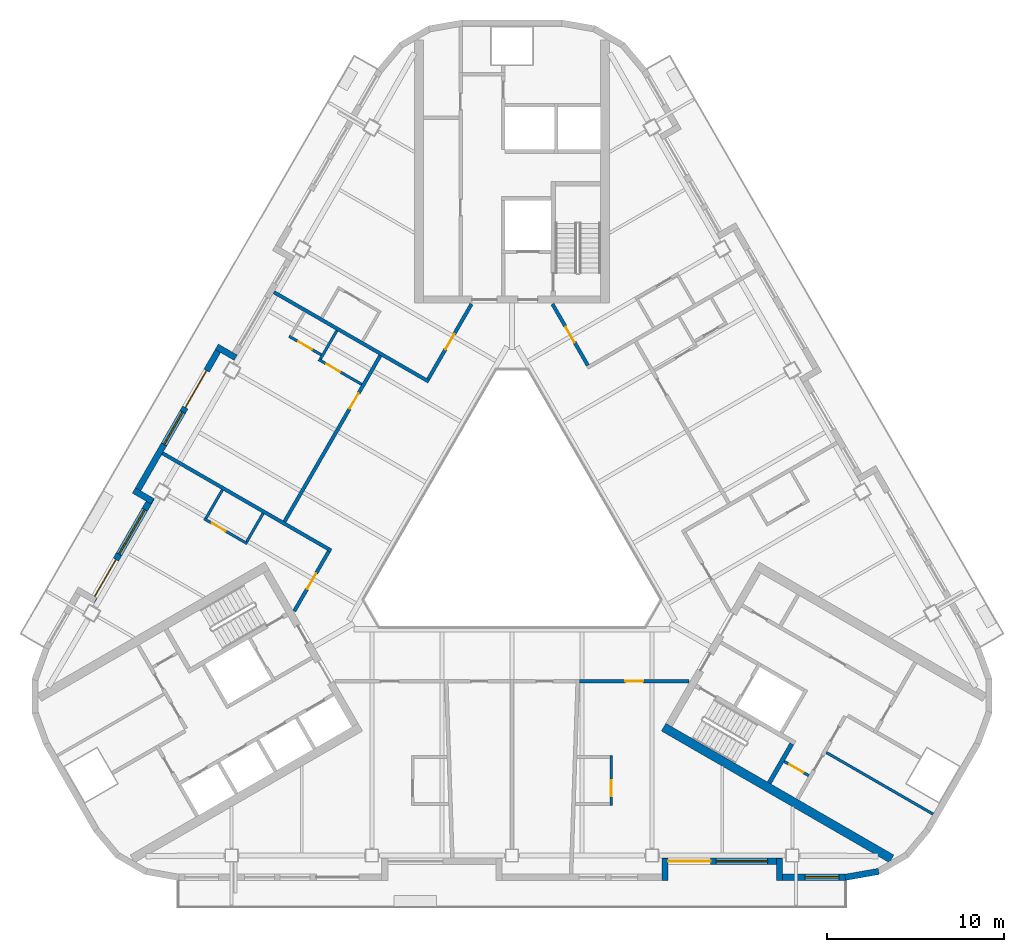
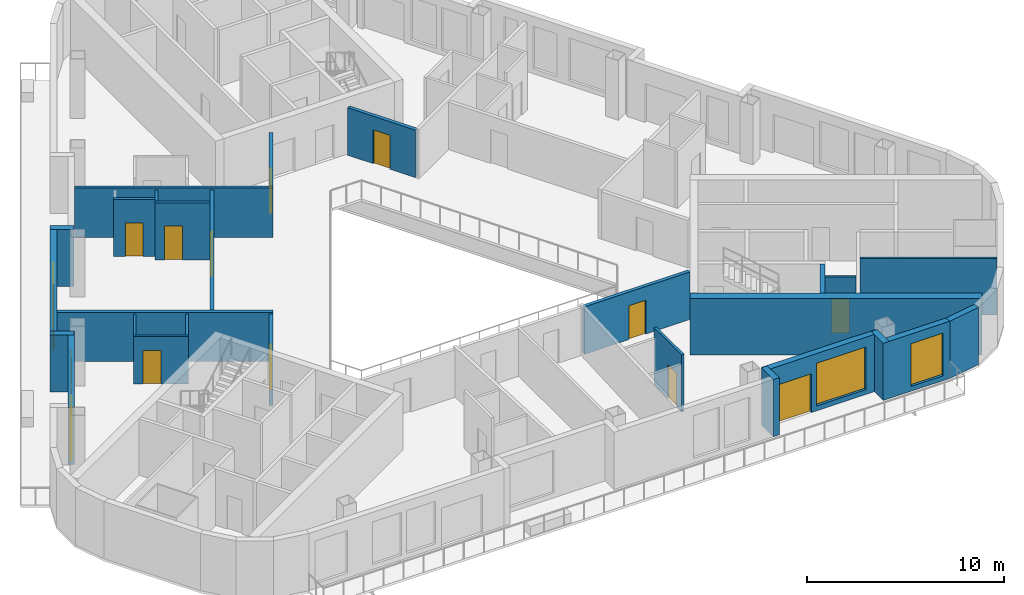
# One storey, part 4 of 13: 27 walls, 13 doors, 4 windows, 17 openings.
"""IFC4 building model written with IfcOpenShell, lengths in metres."""

import ifcopenshell
import ifcopenshell.guid

model = None  # the IFC model being written
_history = None  # IfcOwnerHistory: only IFC2X3 demands one
_inside = {}  # id of a spatial element -> (the spatial element, [elements in it])
_under = {}  # id of a project, library or spatial element -> (it, [spatial elements below it])
_declared = {}  # id of a project -> (the project, [libraries it declares])
_typed = {}  # id of a type object -> (the type object, [elements of that type])
_made_of = {}  # id of a material, layer set ... -> (it, [elements and type objects made of it])


def new_model(schema):
    """Start an empty IFC model of exactly this schema.

    Asked for "IFC4X3", IfcOpenShell would pick the latest addendum, in which some entities
    have other attributes; the version numbers below select the first issue.
    IFC2X3 requires an IfcOwnerHistory on every rooted entity: one is made here for all.
    """
    global model, _history
    if schema == "IFC4X3":
        model = ifcopenshell.file(schema_version=(4, 3, 0, 0))
    else:
        model = ifcopenshell.file(schema=schema)
    _inside.clear()
    _under.clear()
    _declared.clear()
    _typed.clear()
    _made_of.clear()
    _history = None
    if model.schema == "IFC2X3":
        org = make("IfcOrganization", Name="unknown")
        user = make(
            "IfcPersonAndOrganization",
            ThePerson=make("IfcPerson", FamilyName="unknown"),
            TheOrganization=org,
        )
        app = make(
            "IfcApplication",
            ApplicationDeveloper=org,
            Version="unknown",
            ApplicationFullName="unknown",
            ApplicationIdentifier="unknown",
        )
        _history = make(
            "IfcOwnerHistory",
            OwningUser=user,
            OwningApplication=app,
            ChangeAction="ADDED",
            CreationDate=0,
        )
    return model


def make(cls, **values):
    """One entity of the class cls with the attributes given. An attribute that is None is left unset."""
    return model.create_entity(
        cls, **{name: value for name, value in values.items() if value is not None}
    )


def rooted(cls, **values):
    """An entity with a GlobalId (a new one), such as an element, a storey or a relation."""
    return make(cls, GlobalId=ifcopenshell.guid.new(), OwnerHistory=_history, **values)


def si_unit(unit_type, name, prefix=None):
    """IfcSIUnit, for example si_unit("LENGTHUNIT", "METRE", prefix="MILLI")."""
    return make("IfcSIUnit", UnitType=unit_type, Prefix=prefix, Name=name)


def assignment(units):
    """IfcUnitAssignment: the units of a project."""
    return None if units is None else make("IfcUnitAssignment", Units=units)


def point(xyz):
    """IfcCartesianPoint."""
    return None if xyz is None else make("IfcCartesianPoint", Coordinates=xyz)


def direction(xyz):
    """IfcDirection."""
    return None if xyz is None else make("IfcDirection", DirectionRatios=xyz)


def frame(location, z_axis=None, x_axis=None):
    """IfcAxis2Placement3D, a coordinate frame: its origin and axes. An axis left out is left unset."""
    return make(
        "IfcAxis2Placement3D",
        Location=point(location),
        Axis=direction(z_axis),
        RefDirection=direction(x_axis),
    )


def frame_2d(location, x_axis=None):
    """IfcAxis2Placement2D, a coordinate frame in the plane: its origin and x axis."""
    return make(
        "IfcAxis2Placement2D", Location=point(location), RefDirection=direction(x_axis)
    )


def origin():
    """The frame at (0, 0, 0) with its axes left unset."""
    return frame((0.0, 0.0, 0.0))


def place(relative_to, where):
    """IfcLocalPlacement: puts the frame where relative to a parent placement (None: the world)."""
    return make(
        "IfcLocalPlacement", PlacementRelTo=relative_to, RelativePlacement=where
    )


def context(
    kind, dimensions, precision=None, world=None, true_north=None, identifier=None
):
    """IfcGeometricRepresentationContext, for example the 3D "Model" context."""
    return make(
        "IfcGeometricRepresentationContext",
        ContextIdentifier=identifier,
        ContextType=kind,
        CoordinateSpaceDimension=dimensions,
        Precision=precision,
        WorldCoordinateSystem=world,
        TrueNorth=true_north,
    )


def subcontext(parent, identifier, kind, view, scale=None):
    """IfcGeometricRepresentationSubContext, for example "Body" below "Model"."""
    return make(
        "IfcGeometricRepresentationSubContext",
        ContextIdentifier=identifier,
        ContextType=kind,
        ParentContext=parent,
        TargetScale=scale,
        TargetView=view,
    )


def project(units=None, contexts=None):
    """IfcProject with its units and contexts."""
    return rooted(
        "IfcProject",
        Name="project",
        RepresentationContexts=contexts,
        UnitsInContext=assignment(units),
    )


def spatial(cls, under=None, at=None, **own):
    """A site, building, storey or space (cls), placed at a placement, below another one or the project."""
    s = rooted(cls, ObjectPlacement=at, **own)
    if under is not None:
        _under.setdefault(under.id(), (under, []))[1].append(s)
    return s


def profile(cls, at=None, kind="AREA", **sizes):
    """A parametric profile (cls). Its sizes go by their IFC names, for example OverallWidth=200.0."""
    return make(cls, ProfileType=kind, Position=at, **sizes)


def rectangle(**sizes):
    """IfcRectangleProfileDef."""
    return profile("IfcRectangleProfileDef", **sizes)


def extrude(swept, where, along, depth):
    """IfcExtrudedAreaSolid: the profile swept, set in the frame where, extruded along a direction by depth."""
    return make(
        "IfcExtrudedAreaSolid",
        SweptArea=swept,
        Position=where,
        ExtrudedDirection=direction(along),
        Depth=depth,
    )


def shape(context_of_items, identifier, shape_type, items):
    """IfcShapeRepresentation: the items that make up one representation, for example the "Body"."""
    return make(
        "IfcShapeRepresentation",
        ContextOfItems=context_of_items,
        RepresentationIdentifier=identifier,
        RepresentationType=shape_type,
        Items=items,
    )


def material(Name=None, Category=None):
    """IfcMaterial."""
    return make("IfcMaterial", Name=Name, Category=Category)


def layer(
    of_material, thickness, ventilated=None, Name=None, Category=None, Priority=None
):
    """IfcMaterialLayer: one layer of a wall or slab, of a material (None: an air gap)."""
    return make(
        "IfcMaterialLayer",
        Material=of_material,
        LayerThickness=thickness,
        IsVentilated=ventilated,
        Name=Name,
        Category=Category,
        Priority=Priority,
    )


def layer_set(layers, Name=None):
    """IfcMaterialLayerSet."""
    return make("IfcMaterialLayerSet", MaterialLayers=layers, LayerSetName=Name)


def made_of(thing, what):
    """Note that an element or type object is made of a material, layer set ...; save() writes the relation."""
    if what is not None:
        _made_of.setdefault(what.id(), (what, []))[1].append(thing)
    return thing


def type_object(cls, material=None, **own):
    """A type object (cls), such as IfcWallType, which elements share."""
    return made_of(rooted(cls, **own), material)


def element(
    cls,
    number,
    at=None,
    inside=None,
    cuts=None,
    type_object=None,
    material=None,
    context=None,
    identifier="Body",
    shape_type=None,
    held_by="IfcProductDefinitionShape",
    body=None,
    shapes=None,
    **own,
):
    """One element of the class cls, such as IfcWall. Its Tag is "e" and its number.

    at: its placement. inside: the storey or other place that contains it. cuts: it is an
    opening in that element (IfcRelVoidsElement). A single representation is given by context,
    identifier, shape_type and body (its items); several are given by shapes. held_by: the class
    of the entity that holds the representations. save() writes the other relations.
    """
    e = rooted(cls, Tag="e%d" % number, ObjectPlacement=at, **own)
    if body is not None:
        shapes = [shape(context, identifier, shape_type, body)]
    if shapes is not None:
        e.Representation = make(held_by, Representations=shapes)
    if inside is not None:
        _inside.setdefault(inside.id(), (inside, []))[1].append(e)
    if cuts is not None:
        rooted(
            "IfcRelVoidsElement", RelatingBuildingElement=cuts, RelatedOpeningElement=e
        )
    if type_object is not None:
        _typed.setdefault(type_object.id(), (type_object, []))[1].append(e)
    return made_of(e, material)


def fill(opening, filler):
    """IfcRelFillsElement: the door or window that sits in an opening."""
    return rooted(
        "IfcRelFillsElement",
        RelatingOpeningElement=opening,
        RelatedBuildingElement=filler,
    )


def aggregate(whole, parts):
    """IfcRelAggregates: a whole, such as a stair, and the parts it consists of."""
    return rooted("IfcRelAggregates", RelatingObject=whole, RelatedObjects=parts)


def save(model, path):
    """Write the relations noted so far, then the file.

    IfcRelAggregates (storeys below a building ...), IfcRelContainedInSpatialStructure (elements
    in a storey), IfcRelDefinesByType, IfcRelAssociatesMaterial and IfcRelDeclares: one each for
    every whole, place, type object, material and project.
    """
    for whole, parts in _under.values():
        aggregate(whole, parts)
    for where, things in _inside.values():
        rooted(
            "IfcRelContainedInSpatialStructure",
            RelatedElements=things,
            RelatingStructure=where,
        )
    for kind, things in _typed.values():
        rooted("IfcRelDefinesByType", RelatedObjects=things, RelatingType=kind)
    for what, things in _made_of.values():
        rooted("IfcRelAssociatesMaterial", RelatedObjects=things, RelatingMaterial=what)
    for by, libraries in _declared.values():
        rooted("IfcRelDeclares", RelatingContext=by, RelatedDefinitions=libraries)
    model.write(path)


model = new_model("IFC4")

# Units and contexts
model_context = context("Model", 3, precision=1e-05, world=origin(), true_north=direction((0.0, 1.0)))
body_context = subcontext(model_context, "Body", "Model", "MODEL_VIEW")
ifc_project = project(units=[si_unit("LENGTHUNIT", "METRE"), si_unit("AREAUNIT", "SQUARE_METRE"), si_unit("VOLUMEUNIT", "CUBIC_METRE"), si_unit("PLANEANGLEUNIT", "RADIAN"), si_unit("MASSUNIT", "GRAM", prefix="KILO")], contexts=[model_context])

# Site, building, storey
site_placement = place(None, origin())
site = spatial("IfcSite", under=ifc_project, at=site_placement, CompositionType="ELEMENT")
building_placement = place(site_placement, origin())
building = spatial("IfcBuilding", under=site, at=building_placement, Name="Apuvela Tower Hotel", CompositionType="ELEMENT")
storey_placement = place(building_placement, frame((0.0, 0.0, 187.300048828125)))
storey = spatial("IfcBuildingStorey", under=building, at=storey_placement, Name="L45", CompositionType="ELEMENT", Elevation=187.300048828125)

# Wall
ifc_material_1 = material(Name="Concrete C50/60", Category="concrete")
ifc_layer_1 = layer(ifc_material_1, 0.5)
ifc_layer_set_1 = layer_set([ifc_layer_1], Name="COR-WALL-CORE-500")
wall_type_1 = type_object("IfcWallType", Name="COR-WALL-CORE-500", PredefinedType="SHEAR", material=ifc_layer_set_1)
wall_1_placement = place(storey_placement, frame((8.546630859375, -10.99658203125, 0.0), z_axis=(0.0, 0.0, 1.0), x_axis=(0.866025009528, -0.500000682871, 0.0)))
element("IfcWall", 1, at=wall_1_placement, inside=storey, type_object=wall_type_1, Name="Core wall SE", PredefinedType="SHEAR", context=body_context, shape_type="SweptSolid", body=[
    extrude(rectangle(XDim=14.8369140625, YDim=0.5, at=frame_2d((7.41845703125, 0.0))), origin(), (0.0, 0.0, 1.0), 3.5),
])

# Wall, opening, door
ifc_material_2 = material(Name="Blockwork 150 mm plastered", Category="masonry")
ifc_layer_2 = layer(ifc_material_2, 0.14990234375)
ifc_layer_set_2 = layer_set([ifc_layer_2], Name="COR-WALL-PART-150")
wall_type_2 = type_object("IfcWallType", Name="COR-WALL-PART-150", PredefinedType="PARTITIONING", material=ifc_layer_set_2)
wall_2_placement = place(storey_placement, frame((15.341552734375, -12.927734375, 0.0), z_axis=(0.0, 0.0, 1.0), x_axis=(0.865989903783, -0.500061482766, 0.0)))
wall_2 = element("IfcWall", 2, at=wall_2_placement, inside=storey, type_object=wall_type_2, Name="Partition SE", PredefinedType="PARTITIONING", context=body_context, shape_type="SweptSolid", body=[
    extrude(rectangle(XDim=1.599853515625, YDim=0.14990234375, at=frame_2d((0.7998046875, 0.0))), origin(), (0.0, 0.0, 1.0), 3.5),
])
opening_1_placement = place(wall_2_placement, frame((0.35009765625, 0.0, 0.0)))
opening_1 = element("IfcOpeningElement", 3, at=opening_1_placement, cuts=wall_2, Name="Opening E-RD", PredefinedType="OPENING", context=body_context, shape_type="SweptSolid", body=[
    extrude(rectangle(XDim=0.89990234375, YDim=2.10009765625, at=frame_2d((0.449951171875, 1.050048828125))), frame((0.0, 0.0849609375, 0.0), z_axis=(0.0, -1.0, 0.0), x_axis=(1.0, 0.0, 0.0)), (0.0, 0.0, 1.0), 0.169921875),
])
ifc_material_3 = material(Name="Steel access door, powder coated", Category="steel")
door_type_1 = type_object("IfcDoorType", Name="COR-RD-900", OperationType="NOTDEFINED", PredefinedType="DOOR", material=ifc_material_3)
door_1_placement = place(opening_1_placement, frame((0.89990234375, 0.0, 0.0), z_axis=(0.0, 0.0, 1.0), x_axis=(-1.0, 0.0, 0.0)))
door_1 = element("IfcDoor", 4, at=door_1_placement, inside=storey, type_object=door_type_1, Name="Riser door E-RD", OperationType="SINGLE_SWING_LEFT", OverallHeight=2.10009765625, OverallWidth=0.89990234375, PredefinedType="DOOR", context=body_context, shape_type="SweptSolid", body=[
    extrude(rectangle(XDim=0.89990234375, YDim=2.10009765625, at=frame_2d((0.449951171875, 1.050048828125))), frame((0.0, 0.02490234375, 0.0), z_axis=(0.0, -1.0, 0.0), x_axis=(1.0, 0.0, 0.0)), (0.0, 0.0, 1.0), 0.050048828125),
])
fill(opening_1, door_1)

# Walls
wall_3_placement = place(storey_placement, frame((17.712890625, -12.42041015625, 0.0), z_axis=(0.0, 0.0, 1.0), x_axis=(0.866016523273, -0.500015381182, 0.0)))
element("IfcWall", 5, at=wall_3_placement, inside=storey, type_object=wall_type_2, Name="Partition SE", PredefinedType="PARTITIONING", context=body_context, shape_type="SweptSolid", body=[
    extrude(rectangle(XDim=6.949951171875, YDim=0.14990234375, at=frame_2d((3.47509765625, 0.0))), origin(), (0.0, 0.0, 1.0), 3.5),
])
ifc_layer_3 = layer(ifc_material_1, 0.25)
ifc_layer_set_3 = layer_set([ifc_layer_3], Name="COR-WALL-STAIR-250")
wall_type_3 = type_object("IfcWallType", Name="COR-WALL-STAIR-250", PredefinedType="SHEAR", material=ifc_layer_set_3)
wall_4_placement = place(storey_placement, frame((14.49560546875, -14.142578125, 0.0), z_axis=(0.0, 0.0, 1.0), x_axis=(0.500062241894, 0.865989465428, 0.0)))
element("IfcWall", 6, at=wall_4_placement, inside=storey, type_object=wall_type_3, Name="Stair wall SE", PredefinedType="SHEAR", context=body_context, shape_type="SweptSolid", body=[
    extrude(rectangle(XDim=2.550048828125, YDim=0.25, at=frame_2d((1.27490234375, 0.0))), origin(), (0.0, 0.0, 1.0), 3.5),
])
ifc_material_4 = material(Name="Concrete C40/50, dark pigmented precast panel", Category="concrete")
ifc_layer_4 = layer(ifc_material_4, 0.35009765625)
ifc_layer_set_4 = layer_set([ifc_layer_4], Name="ENV-WALL-350")
wall_type_4 = type_object("IfcWallType", Name="ENV-WALL-350", PredefinedType="SOLIDWALL", material=ifc_layer_set_4)
wall_5_placement = place(storey_placement, frame((-15.580810546875, 9.8330078125, 0.0), z_axis=(0.0, 0.0, 1.0), x_axis=(-0.866055662726, 0.499947586314, 0.0)))
element("IfcWall", 7, at=wall_5_placement, inside=storey, type_object=wall_type_4, Name="External wall L45-04", PredefinedType="SOLIDWALL", context=body_context, shape_type="SweptSolid", body=[
    extrude(rectangle(XDim=1.220458984375, YDim=0.35009765625, at=frame_2d((0.6103515625, 0.0))), origin(), (0.0, 0.0, 1.0), 3.550048828125),
])

# Wall, openings, door, window
wall_6_placement = place(storey_placement, frame((-16.3984375, 10.507080078125, 0.0), z_axis=(0.0, 0.0, 1.0), x_axis=(-0.499999142773, -0.866025898704, 0.0)))
wall_6 = element("IfcWall", 8, at=wall_6_placement, inside=storey, type_object=wall_type_4, Name="External wall L45-05", PredefinedType="SOLIDWALL", context=body_context, shape_type="SweptSolid", body=[
    extrude(rectangle(XDim=9.7001953125, YDim=0.35009765625, at=frame_2d((4.85009765625, 0.0))), origin(), (0.0, 0.0, 1.0), 3.550048828125),
])
opening_2_placement = place(wall_6_placement, frame((1.625, 0.0, 0.0)))
opening_2 = element("IfcOpeningElement", 9, at=opening_2_placement, cuts=wall_6, Name="Opening BD24", PredefinedType="OPENING", context=body_context, shape_type="SweptSolid", body=[
    extrude(rectangle(XDim=2.39990234375, YDim=2.39990234375, at=frame_2d((1.199951171875, 1.199951171875))), frame((0.0, 0.18505859375, 0.0), z_axis=(0.0, -1.0, 0.0), x_axis=(1.0, 0.0, 0.0)), (0.0, 0.0, 1.0), 0.3701171875),
])
opening_3_placement = place(wall_6_placement, frame((4.3251953125, 0.0, 0.300048828125)))
opening_3 = element("IfcOpeningElement", 10, at=opening_3_placement, cuts=wall_6, Name="Opening WN21", PredefinedType="OPENING", context=body_context, shape_type="SweptSolid", body=[
    extrude(rectangle(XDim=2.10009765625, YDim=2.64990234375, at=frame_2d((1.050048828125, 1.324951171875))), frame((0.0, 0.18505859375, 0.0), z_axis=(0.0, -1.0, 0.0), x_axis=(1.0, 0.0, 0.0)), (0.0, 0.0, 1.0), 0.3701171875),
])
ifc_material_5 = material(Name="Aluminium 6063-T6, dark bronze anodised frame with dark tinted laminated glass", Category="aluminium")
door_type_2 = type_object("IfcDoorType", Name="ENV-DOOR-BALCONY-2400x2400", OperationType="SLIDING_TO_LEFT", PredefinedType="DOOR", material=ifc_material_5)
door_2_placement = place(opening_2_placement, frame((2.39990234375, 0.0, 0.0), z_axis=(0.0, 0.0, 1.0), x_axis=(-1.0, 0.0, 0.0)))
door_2 = element("IfcDoor", 11, at=door_2_placement, inside=storey, type_object=door_type_2, Name="Balcony door BD24", OperationType="SLIDING_TO_LEFT", OverallHeight=2.39990234375, OverallWidth=2.39990234375, PredefinedType="DOOR", context=body_context, shape_type="SweptSolid", body=[
    extrude(rectangle(XDim=2.39990234375, YDim=2.39990234375, at=frame_2d((1.199951171875, 1.199951171875))), frame((0.0, 0.02490234375, 0.0), z_axis=(0.0, -1.0, 0.0), x_axis=(1.0, 0.0, 0.0)), (0.0, 0.0, 1.0), 0.050048828125),
])
fill(opening_2, door_2)
ifc_material_6 = material(Name="Glass, dark tinted laminated insulated glazing unit", Category="glass")
window_type_1 = type_object("IfcWindowType", Name="ENV-WIN-2100x2650", PartitioningType="SINGLE_PANEL", PredefinedType="WINDOW", material=ifc_material_6)
window_1_placement = place(opening_3_placement, origin())
window_1 = element("IfcWindow", 12, at=window_1_placement, inside=storey, type_object=window_type_1, Name="Window WN21", OverallHeight=2.64990234375, OverallWidth=2.10009765625, PartitioningType="SINGLE_PANEL", PredefinedType="WINDOW", context=body_context, shape_type="SweptSolid", body=[
    extrude(rectangle(XDim=2.10009765625, YDim=2.64990234375, at=frame_2d((1.050048828125, 1.324951171875))), frame((0.0, 0.030029296875, 0.0), z_axis=(0.0, -1.0, 0.0), x_axis=(1.0, 0.0, 0.0)), (0.0, 0.0, 1.0), 0.06005859375),
])
fill(opening_3, window_1)

# Wall
wall_7_placement = place(storey_placement, frame((-21.3125, 2.345703125, 0.0), z_axis=(0.0, 0.0, 1.0), x_axis=(0.866005645448, -0.500034220881, 0.0)))
element("IfcWall", 13, at=wall_7_placement, inside=storey, type_object=wall_type_4, Name="External wall L45-06", PredefinedType="SOLIDWALL", context=body_context, shape_type="SweptSolid", body=[
    extrude(rectangle(XDim=1.22021484375, YDim=0.35009765625, at=frame_2d((0.610107421875, 0.0))), origin(), (0.0, 0.0, 1.0), 3.550048828125),
])

# Wall, openings, door, window
wall_8_placement = place(storey_placement, frame((-20.30908203125, 1.93359375, 0.0), z_axis=(0.0, 0.0, 1.0), x_axis=(-0.499992114976, -0.866029956157, 0.0)))
wall_8 = element("IfcWall", 14, at=wall_8_placement, inside=storey, type_object=wall_type_4, Name="External wall L45-07", PredefinedType="SOLIDWALL", context=body_context, shape_type="SweptSolid", body=[
    extrude(rectangle(XDim=6.73974609375, YDim=0.35009765625, at=frame_2d((3.369873046875, 0.0))), origin(), (0.0, 0.0, 1.0), 3.550048828125),
])
opening_4_placement = place(wall_8_placement, frame((4.02001953125, 0.0, 0.0)))
opening_4 = element("IfcOpeningElement", 15, at=opening_4_placement, cuts=wall_8, Name="Opening BD24", PredefinedType="OPENING", context=body_context, shape_type="SweptSolid", body=[
    extrude(rectangle(XDim=2.39990234375, YDim=2.39990234375, at=frame_2d((1.199951171875, 1.199951171875))), frame((0.0, 0.18505859375, 0.0), z_axis=(0.0, -1.0, 0.0), x_axis=(1.0, 0.0, 0.0)), (0.0, 0.0, 1.0), 0.3701171875),
])
opening_5_placement = place(wall_8_placement, frame((0.77001953125, 0.0, 0.300048828125)))
opening_5 = element("IfcOpeningElement", 16, at=opening_5_placement, cuts=wall_8, Name="Opening WN29", PredefinedType="OPENING", context=body_context, shape_type="SweptSolid", body=[
    extrude(rectangle(XDim=2.89990234375, YDim=2.64990234375, at=frame_2d((1.449951171875, 1.324951171875))), frame((0.0, 0.18505859375, 0.0), z_axis=(0.0, -1.0, 0.0), x_axis=(1.0, 0.0, 0.0)), (0.0, 0.0, 1.0), 0.3701171875),
])
door_3_placement = place(opening_4_placement, frame((2.39990234375, 0.0, 0.0), z_axis=(0.0, 0.0, 1.0), x_axis=(-1.0, 0.0, 0.0)))
door_3 = element("IfcDoor", 17, at=door_3_placement, inside=storey, type_object=door_type_2, Name="Balcony door BD24", OperationType="SLIDING_TO_LEFT", OverallHeight=2.39990234375, OverallWidth=2.39990234375, PredefinedType="DOOR", context=body_context, shape_type="SweptSolid", body=[
    extrude(rectangle(XDim=2.39990234375, YDim=2.39990234375, at=frame_2d((1.199951171875, 1.199951171875))), frame((0.0, 0.02490234375, 0.0), z_axis=(0.0, -1.0, 0.0), x_axis=(1.0, 0.0, 0.0)), (0.0, 0.0, 1.0), 0.050048828125),
])
fill(opening_4, door_3)
window_type_2 = type_object("IfcWindowType", Name="ENV-WIN-2900x2650", PartitioningType="SINGLE_PANEL", PredefinedType="WINDOW", material=ifc_material_6)
window_2_placement = place(opening_5_placement, origin())
window_2 = element("IfcWindow", 18, at=window_2_placement, inside=storey, type_object=window_type_2, Name="Window WN29", OverallHeight=2.64990234375, OverallWidth=2.89990234375, PartitioningType="SINGLE_PANEL", PredefinedType="WINDOW", context=body_context, shape_type="SweptSolid", body=[
    extrude(rectangle(XDim=2.89990234375, YDim=2.64990234375, at=frame_2d((1.449951171875, 1.324951171875))), frame((0.0, 0.030029296875, 0.0), z_axis=(0.0, -1.0, 0.0), x_axis=(1.0, 0.0, 0.0)), (0.0, 0.0, 1.0), 0.06005859375),
])
fill(opening_5, window_2)

# Wall
wall_9_placement = place(storey_placement, frame((8.625, -19.6298828125, 0.0), z_axis=(0.0, 0.0, 1.0), x_axis=(0.0, 1.0, 0.0)))
element("IfcWall", 19, at=wall_9_placement, inside=storey, type_object=wall_type_4, Name="External wall L45-22", PredefinedType="SOLIDWALL", context=body_context, shape_type="SweptSolid", body=[
    extrude(rectangle(XDim=1.219970703125, YDim=0.35009765625, at=frame_2d((0.60986328125, 0.0))), origin(), (0.0, 0.0, 1.0), 3.550048828125),
])

# Wall, openings, door, window
wall_10_placement = place(storey_placement, frame((8.47998046875, -18.554931640625, 0.0), z_axis=(0.0, 0.0, 1.0), x_axis=(1.0, 0.0, 0.0)))
wall_10 = element("IfcWall", 20, at=wall_10_placement, inside=storey, type_object=wall_type_4, Name="External wall L45-23", PredefinedType="SOLIDWALL", context=body_context, shape_type="SweptSolid", body=[
    extrude(rectangle(XDim=6.739990234375, YDim=0.35009765625, at=frame_2d((3.3701171875, 0.0))), origin(), (0.0, 0.0, 1.0), 3.550048828125),
])
opening_6_placement = place(wall_10_placement, frame((0.3203125, 0.0, 0.0)))
opening_6 = element("IfcOpeningElement", 21, at=opening_6_placement, cuts=wall_10, Name="Opening BD24", PredefinedType="OPENING", context=body_context, shape_type="SweptSolid", body=[
    extrude(rectangle(XDim=2.39990234375, YDim=2.39990234375, at=frame_2d((1.199951171875, 1.199951171875))), frame((0.0, 0.18505859375, 0.0), z_axis=(0.0, -1.0, 0.0), x_axis=(1.0, 0.0, 0.0)), (0.0, 0.0, 1.0), 0.3701171875),
])
opening_7_placement = place(wall_10_placement, frame((3.020263671875, 0.0, 0.300048828125)))
opening_7 = element("IfcOpeningElement", 22, at=opening_7_placement, cuts=wall_10, Name="Opening WN29", PredefinedType="OPENING", context=body_context, shape_type="SweptSolid", body=[
    extrude(rectangle(XDim=2.89990234375, YDim=2.64990234375, at=frame_2d((1.449951171875, 1.324951171875))), frame((0.0, 0.18505859375, 0.0), z_axis=(0.0, -1.0, 0.0), x_axis=(1.0, 0.0, 0.0)), (0.0, 0.0, 1.0), 0.3701171875),
])
door_4_placement = place(opening_6_placement, frame((2.39990234375, 0.0, 0.0), z_axis=(0.0, 0.0, 1.0), x_axis=(-1.0, 0.0, 0.0)))
door_4 = element("IfcDoor", 23, at=door_4_placement, inside=storey, type_object=door_type_2, Name="Balcony door BD24", OperationType="SLIDING_TO_LEFT", OverallHeight=2.39990234375, OverallWidth=2.39990234375, PredefinedType="DOOR", context=body_context, shape_type="SweptSolid", body=[
    extrude(rectangle(XDim=2.39990234375, YDim=2.39990234375, at=frame_2d((1.199951171875, 1.199951171875))), frame((0.0, 0.02490234375, 0.0), z_axis=(0.0, -1.0, 0.0), x_axis=(1.0, 0.0, 0.0)), (0.0, 0.0, 1.0), 0.050048828125),
])
fill(opening_6, door_4)
window_3_placement = place(opening_7_placement, origin())
window_3 = element("IfcWindow", 24, at=window_3_placement, inside=storey, type_object=window_type_2, Name="Window WN29", OverallHeight=2.64990234375, OverallWidth=2.89990234375, PartitioningType="SINGLE_PANEL", PredefinedType="WINDOW", context=body_context, shape_type="SweptSolid", body=[
    extrude(rectangle(XDim=2.89990234375, YDim=2.64990234375, at=frame_2d((1.449951171875, 1.324951171875))), frame((0.0, 0.030029296875, 0.0), z_axis=(0.0, -1.0, 0.0), x_axis=(1.0, 0.0, 0.0)), (0.0, 0.0, 1.0), 0.06005859375),
])
fill(opening_7, window_3)

# Wall
wall_11_placement = place(storey_placement, frame((15.074951171875, -18.409912109375, 0.0), z_axis=(0.0, 0.0, 1.0), x_axis=(0.0, -1.0, 0.0)))
element("IfcWall", 25, at=wall_11_placement, inside=storey, type_object=wall_type_4, Name="External wall L45-24", PredefinedType="SOLIDWALL", context=body_context, shape_type="SweptSolid", body=[
    extrude(rectangle(XDim=1.219970703125, YDim=0.35009765625, at=frame_2d((0.60986328125, 0.0))), origin(), (0.0, 0.0, 1.0), 3.550048828125),
])

# Wall, opening, window
wall_12_placement = place(storey_placement, frame((14.89990234375, -19.455078125, 0.0), z_axis=(0.0, 0.0, 1.0), x_axis=(1.0, 0.0, 0.0)))
wall_12 = element("IfcWall", 26, at=wall_12_placement, inside=storey, type_object=wall_type_4, Name="External wall L45-25", PredefinedType="SOLIDWALL", context=body_context, shape_type="SweptSolid", body=[
    extrude(rectangle(XDim=3.916015625, YDim=0.35009765625, at=frame_2d((1.9580078125, 0.0))), origin(), (0.0, 0.0, 1.0), 3.550048828125),
])
opening_8_placement = place(wall_12_placement, frame((1.624755859375, 0.0, 0.300048828125)))
opening_8 = element("IfcOpeningElement", 27, at=opening_8_placement, cuts=wall_12, Name="Opening WN19", PredefinedType="OPENING", context=body_context, shape_type="SweptSolid", body=[
    extrude(rectangle(XDim=1.89990234375, YDim=2.64990234375, at=frame_2d((0.949951171875, 1.324951171875))), frame((0.0, 0.18505859375, 0.0), z_axis=(0.0, -1.0, 0.0), x_axis=(1.0, 0.0, 0.0)), (0.0, 0.0, 1.0), 0.3701171875),
])
window_type_3 = type_object("IfcWindowType", Name="ENV-WIN-1900x2650", PartitioningType="SINGLE_PANEL", PredefinedType="WINDOW", material=ifc_material_6)
window_4_placement = place(opening_8_placement, origin())
window_4 = element("IfcWindow", 28, at=window_4_placement, inside=storey, type_object=window_type_3, Name="Window WN19", OverallHeight=2.64990234375, OverallWidth=1.89990234375, PartitioningType="SINGLE_PANEL", PredefinedType="WINDOW", context=body_context, shape_type="SweptSolid", body=[
    extrude(rectangle(XDim=1.89990234375, YDim=2.64990234375, at=frame_2d((0.949951171875, 1.324951171875))), frame((0.0, 0.030029296875, 0.0), z_axis=(0.0, -1.0, 0.0), x_axis=(1.0, 0.0, 0.0)), (0.0, 0.0, 1.0), 0.06005859375),
])
fill(opening_8, window_4)

# Walls
wall_13_placement = place(storey_placement, frame((18.785400390625, -19.457763671875, 0.0), z_axis=(0.0, 0.0, 1.0), x_axis=(0.984798995425, 0.173697837091, 0.0)))
element("IfcWall", 29, at=wall_13_placement, inside=storey, type_object=wall_type_4, Name="External wall L45-26", PredefinedType="SOLIDWALL", context=body_context, shape_type="SweptSolid", body=[
    extrude(rectangle(XDim=1.91015625, YDim=0.35009765625, at=frame_2d((0.955078125, 0.0))), origin(), (0.0, 0.0, 1.0), 3.550048828125),
])
ifc_material_7 = material(Name="Gypsum board partition on twin steel stud", Category="steel")
ifc_layer_5 = layer(ifc_material_7, 0.199951171875)
ifc_layer_set_5 = layer_set([ifc_layer_5], Name="GST-PW1")
wall_type_5 = type_object("IfcWallType", Name="GST-PW1", PredefinedType="PARTITIONING", material=ifc_layer_set_5)
wall_14_placement = place(storey_placement, frame((-13.41748046875, 13.52001953125, 0.0), z_axis=(0.0, 0.0, 1.0), x_axis=(0.866022637375, -0.500004791531, 0.0)))
element("IfcWall", 30, at=wall_14_placement, inside=storey, type_object=wall_type_5, Name="L45 partition 05", PredefinedType="PARTITIONING", context=body_context, shape_type="SweptSolid", body=[
    extrude(rectangle(XDim=10.080078125, YDim=0.199951171875, at=frame_2d((5.0400390625, 0.0))), origin(), (0.0, 0.0, 1.0), 3.06005859375),
])
wall_15_placement = place(storey_placement, frame((-19.697021484375, 4.44384765625, 0.0), z_axis=(0.0, 0.0, 1.0), x_axis=(0.866027479907, -0.499996404033, 0.0)))
element("IfcWall", 31, at=wall_15_placement, inside=storey, type_object=wall_type_5, Name="L45 partition 06", PredefinedType="PARTITIONING", context=body_context, shape_type="SweptSolid", body=[
    extrude(rectangle(XDim=10.97998046875, YDim=0.199951171875, at=frame_2d((5.489990234375, 0.0))), origin(), (0.0, 0.0, 1.0), 3.06005859375),
])

# Wall, opening, door
ifc_material_8 = material(Name="Gypsum board corridor wall on twin steel stud, acoustic", Category="steel")
ifc_layer_6 = layer(ifc_material_8, 0.199951171875)
ifc_layer_set_6 = layer_set([ifc_layer_6], Name="GST-PW2")
wall_type_6 = type_object("IfcWallType", Name="GST-PW2", PredefinedType="PARTITIONING", material=ifc_layer_set_6)
wall_16_placement = place(storey_placement, frame((9.98828125, -8.39990234375, 0.0), z_axis=(0.0, 0.0, 1.0), x_axis=(-1.0, 0.0, 0.0)))
wall_16 = element("IfcWall", 32, at=wall_16_placement, inside=storey, type_object=wall_type_6, Name="L45 partition 14", PredefinedType="PARTITIONING", context=body_context, shape_type="SweptSolid", body=[
    extrude(rectangle(XDim=6.184814453125, YDim=0.199951171875, at=frame_2d((3.09228515625, 0.0))), origin(), (0.0, 0.0, 1.0), 2.949951171875),
])
opening_9_placement = place(wall_16_placement, frame((2.59228515625, 0.0, 0.0)))
opening_9 = element("IfcOpeningElement", 33, at=opening_9_placement, cuts=wall_16, Name="Opening GD17-06", PredefinedType="OPENING", context=body_context, shape_type="SweptSolid", body=[
    extrude(rectangle(XDim=1.0, YDim=2.10009765625, at=frame_2d((0.5, 1.050048828125))), frame((0.0, 0.10986328125, 0.0), z_axis=(0.0, -1.0, 0.0), x_axis=(1.0, 0.0, 0.0)), (0.0, 0.0, 1.0), 0.219970703125),
])
ifc_material_9 = material(Name="Timber door leaf in steel frame", Category="steel")
door_type_3 = type_object("IfcDoorType", Name="GST-D1", OperationType="NOTDEFINED", PredefinedType="DOOR", material=ifc_material_9)
door_5_placement = place(opening_9_placement, origin())
door_5 = element("IfcDoor", 34, at=door_5_placement, inside=storey, type_object=door_type_3, Name="Door L45-06", OperationType="SINGLE_SWING_RIGHT", OverallHeight=2.10009765625, OverallWidth=1.0, PredefinedType="DOOR", context=body_context, shape_type="SweptSolid", body=[
    extrude(rectangle(XDim=1.0, YDim=2.10009765625, at=frame_2d((0.5, 1.050048828125))), frame((0.0, 0.02490234375, 0.0), z_axis=(0.0, -1.0, 0.0), x_axis=(1.0, 0.0, 0.0)), (0.0, 0.0, 1.0), 0.050048828125),
])
fill(opening_9, door_5)

wall_17_placement = place(storey_placement, frame((2.280517578125, 12.85009765625, 0.0), z_axis=(0.0, 0.0, 1.0), x_axis=(0.500010364181, -0.866019419939, 0.0)))
wall_17 = element("IfcWall", 35, at=wall_17_placement, inside=storey, type_object=wall_type_6, Name="L45 partition 27", PredefinedType="PARTITIONING", context=body_context, shape_type="SweptSolid", body=[
    extrude(rectangle(XDim=3.98828125, YDim=0.199951171875, at=frame_2d((1.994140625, 0.0))), origin(), (0.0, 0.0, 1.0), 2.949951171875),
])
opening_10_placement = place(wall_17_placement, frame((1.494140625, 0.0, 0.0)))
opening_10 = element("IfcOpeningElement", 36, at=opening_10_placement, cuts=wall_17, Name="Opening GD17-13", PredefinedType="OPENING", context=body_context, shape_type="SweptSolid", body=[
    extrude(rectangle(XDim=1.0, YDim=2.10009765625, at=frame_2d((0.5, 1.050048828125))), frame((0.0, 0.10986328125, 0.0), z_axis=(0.0, -1.0, 0.0), x_axis=(1.0, 0.0, 0.0)), (0.0, 0.0, 1.0), 0.219970703125),
])
door_6_placement = place(opening_10_placement, origin())
door_6 = element("IfcDoor", 37, at=door_6_placement, inside=storey, type_object=door_type_3, Name="Door L45-13", OperationType="SINGLE_SWING_RIGHT", OverallHeight=2.10009765625, OverallWidth=1.0, PredefinedType="DOOR", context=body_context, shape_type="SweptSolid", body=[
    extrude(rectangle(XDim=1.0, YDim=2.10009765625, at=frame_2d((0.5, 1.050048828125))), frame((0.0, 0.02490234375, 0.0), z_axis=(0.0, -1.0, 0.0), x_axis=(1.0, 0.0, 0.0)), (0.0, 0.0, 1.0), 0.050048828125),
])
fill(opening_10, door_6)

wall_18_placement = place(storey_placement, frame((-4.724609375, 8.61669921875, 0.0), z_axis=(0.0, 0.0, 1.0), x_axis=(0.499990498062, 0.866030889661, 0.0)))
wall_18 = element("IfcWall", 38, at=wall_18_placement, inside=storey, type_object=wall_type_6, Name="L45 partition 31", PredefinedType="PARTITIONING", context=body_context, shape_type="SweptSolid", body=[
    extrude(rectangle(XDim=4.88818359375, YDim=0.199951171875, at=frame_2d((2.444091796875, 0.0))), origin(), (0.0, 0.0, 1.0), 2.949951171875),
])
opening_11_placement = place(wall_18_placement, frame((1.944091796875, 0.0, 0.0)))
opening_11 = element("IfcOpeningElement", 39, at=opening_11_placement, cuts=wall_18, Name="Opening GD17-15", PredefinedType="OPENING", context=body_context, shape_type="SweptSolid", body=[
    extrude(rectangle(XDim=1.0, YDim=2.10009765625, at=frame_2d((0.5, 1.050048828125))), frame((0.0, 0.10986328125, 0.0), z_axis=(0.0, -1.0, 0.0), x_axis=(1.0, 0.0, 0.0)), (0.0, 0.0, 1.0), 0.219970703125),
])
door_7_placement = place(opening_11_placement, origin())
door_7 = element("IfcDoor", 40, at=door_7_placement, inside=storey, type_object=door_type_3, Name="Door L45-15", OperationType="SINGLE_SWING_LEFT", OverallHeight=2.10009765625, OverallWidth=1.0, PredefinedType="DOOR", context=body_context, shape_type="SweptSolid", body=[
    extrude(rectangle(XDim=1.0, YDim=2.10009765625, at=frame_2d((0.5, 1.050048828125))), frame((0.0, 0.02490234375, 0.0), z_axis=(0.0, -1.0, 0.0), x_axis=(1.0, 0.0, 0.0)), (0.0, 0.0, 1.0), 0.050048828125),
])
fill(opening_11, door_7)

wall_19_placement = place(storey_placement, frame((-12.82275390625, 0.590576171875, 0.0), z_axis=(0.0, 0.0, 1.0), x_axis=(0.500012057535, 0.866018442252, 0.0)))
wall_19 = element("IfcWall", 41, at=wall_19_placement, inside=storey, type_object=wall_type_6, Name="L45 partition 35", PredefinedType="PARTITIONING", context=body_context, shape_type="SweptSolid", body=[
    extrude(rectangle(XDim=10.800048828125, YDim=0.199951171875, at=frame_2d((5.39990234375, 0.0))), origin(), (0.0, 0.0, 1.0), 2.949951171875),
])
opening_12_placement = place(wall_19_placement, frame((7.35009765625, 0.0, 0.0)))
opening_12 = element("IfcOpeningElement", 42, at=opening_12_placement, cuts=wall_19, Name="Opening GD17-18", PredefinedType="OPENING", context=body_context, shape_type="SweptSolid", body=[
    extrude(rectangle(XDim=1.0, YDim=2.10009765625, at=frame_2d((0.5, 1.050048828125))), frame((0.0, 0.10986328125, 0.0), z_axis=(0.0, -1.0, 0.0), x_axis=(1.0, 0.0, 0.0)), (0.0, 0.0, 1.0), 0.219970703125),
])
door_8_placement = place(opening_12_placement, origin())
door_8 = element("IfcDoor", 43, at=door_8_placement, inside=storey, type_object=door_type_3, Name="Door L45-18", OperationType="SINGLE_SWING_LEFT", OverallHeight=2.10009765625, OverallWidth=1.0, PredefinedType="DOOR", context=body_context, shape_type="SweptSolid", body=[
    extrude(rectangle(XDim=1.0, YDim=2.10009765625, at=frame_2d((0.5, 1.050048828125))), frame((0.0, 0.02490234375, 0.0), z_axis=(0.0, -1.0, 0.0), x_axis=(1.0, 0.0, 0.0)), (0.0, 0.0, 1.0), 0.050048828125),
])
fill(opening_12, door_8)

wall_20_placement = place(storey_placement, frame((-12.268798828125, -4.449951171875, 0.0), z_axis=(0.0, 0.0, 1.0), x_axis=(0.500008716408, 0.866020371305, 0.0)))
wall_20 = element("IfcWall", 44, at=wall_20_placement, inside=storey, type_object=wall_type_6, Name="L45 partition 40", PredefinedType="PARTITIONING", context=body_context, shape_type="SweptSolid", body=[
    extrude(rectangle(XDim=3.88818359375, YDim=0.199951171875, at=frame_2d((1.944091796875, 0.0))), origin(), (0.0, 0.0, 1.0), 2.949951171875),
])
opening_13_placement = place(wall_20_placement, frame((1.444091796875, 0.0, 0.0)))
opening_13 = element("IfcOpeningElement", 45, at=opening_13_placement, cuts=wall_20, Name="Opening GD17-20", PredefinedType="OPENING", context=body_context, shape_type="SweptSolid", body=[
    extrude(rectangle(XDim=1.0, YDim=2.10009765625, at=frame_2d((0.5, 1.050048828125))), frame((0.0, 0.10986328125, 0.0), z_axis=(0.0, -1.0, 0.0), x_axis=(1.0, 0.0, 0.0)), (0.0, 0.0, 1.0), 0.219970703125),
])
door_9_placement = place(opening_13_placement, origin())
door_9 = element("IfcDoor", 46, at=door_9_placement, inside=storey, type_object=door_type_3, Name="Door L45-20", OperationType="SINGLE_SWING_RIGHT", OverallHeight=2.10009765625, OverallWidth=1.0, PredefinedType="DOOR", context=body_context, shape_type="SweptSolid", body=[
    extrude(rectangle(XDim=1.0, YDim=2.10009765625, at=frame_2d((0.5, 1.050048828125))), frame((0.0, 0.02490234375, 0.0), z_axis=(0.0, -1.0, 0.0), x_axis=(1.0, 0.0, 0.0)), (0.0, 0.0, 1.0), 0.050048828125),
])
fill(opening_13, door_9)

ifc_material_10 = material(Name="Moisture-resistant gypsum board wet wall on steel stud", Category="steel")
ifc_layer_7 = layer(ifc_material_10, 0.14990234375)
ifc_layer_set_7 = layer_set([ifc_layer_7], Name="GST-PW3")
wall_type_7 = type_object("IfcWallType", Name="GST-PW3", PredefinedType="PARTITIONING", material=ifc_layer_set_7)
wall_21_placement = place(storey_placement, frame((5.584228515625, -15.39990234375, 0.0), z_axis=(0.0, 0.0, 1.0), x_axis=(0.0, 1.0, 0.0)))
wall_21 = element("IfcWall", 47, at=wall_21_placement, inside=storey, type_object=wall_type_7, Name="L45 partition 15", PredefinedType="PARTITIONING", context=body_context, shape_type="SweptSolid", body=[
    extrude(rectangle(XDim=2.7998046875, YDim=0.14990234375, at=frame_2d((1.39990234375, 0.0))), origin(), (0.0, 0.0, 1.0), 3.550048828125),
])
opening_14_placement = place(wall_21_placement, frame((0.5, 0.0, 0.0)))
opening_14 = element("IfcOpeningElement", 48, at=opening_14_placement, cuts=wall_21, Name="Opening GD17-05", PredefinedType="OPENING", context=body_context, shape_type="SweptSolid", body=[
    extrude(rectangle(XDim=0.89990234375, YDim=2.10009765625, at=frame_2d((0.449951171875, 1.050048828125))), frame((0.0, 0.0849609375, 0.0), z_axis=(0.0, -1.0, 0.0), x_axis=(1.0, 0.0, 0.0)), (0.0, 0.0, 1.0), 0.169921875),
])
door_type_4 = type_object("IfcDoorType", Name="GST-D2", OperationType="NOTDEFINED", PredefinedType="DOOR", material=ifc_material_9)
door_10_placement = place(opening_14_placement, origin())
door_10 = element("IfcDoor", 49, at=door_10_placement, inside=storey, type_object=door_type_4, Name="Door L45-05", OperationType="SINGLE_SWING_LEFT", OverallHeight=2.10009765625, OverallWidth=0.89990234375, PredefinedType="DOOR", context=body_context, shape_type="SweptSolid", body=[
    extrude(rectangle(XDim=0.89990234375, YDim=2.10009765625, at=frame_2d((0.449951171875, 1.050048828125))), frame((0.0, 0.02490234375, 0.0), z_axis=(0.0, -1.0, 0.0), x_axis=(1.0, 0.0, 0.0)), (0.0, 0.0, 1.0), 0.050048828125),
])
fill(opening_14, door_10)

wall_22_placement = place(storey_placement, frame((-10.896728515625, 9.726318359375, 0.0), z_axis=(0.0, 0.0, 1.0), x_axis=(0.866056369097, -0.49994636267, 0.0)))
wall_22 = element("IfcWall", 50, at=wall_22_placement, inside=storey, type_object=wall_type_7, Name="L45 partition 36", PredefinedType="PARTITIONING", context=body_context, shape_type="SweptSolid", body=[
    extrude(rectangle(XDim=2.800048828125, YDim=0.14990234375, at=frame_2d((1.39990234375, 0.0))), origin(), (0.0, 0.0, 1.0), 3.550048828125),
])
opening_15_placement = place(wall_22_placement, frame((0.5, 0.0, 0.0)))
opening_15 = element("IfcOpeningElement", 51, at=opening_15_placement, cuts=wall_22, Name="Opening GD17-16", PredefinedType="OPENING", context=body_context, shape_type="SweptSolid", body=[
    extrude(rectangle(XDim=0.89990234375, YDim=2.10009765625, at=frame_2d((0.449951171875, 1.050048828125))), frame((0.0, 0.0849609375, 0.0), z_axis=(0.0, -1.0, 0.0), x_axis=(1.0, 0.0, 0.0)), (0.0, 0.0, 1.0), 0.169921875),
])
door_11_placement = place(opening_15_placement, origin())
door_11 = element("IfcDoor", 52, at=door_11_placement, inside=storey, type_object=door_type_4, Name="Door L45-16", OperationType="SINGLE_SWING_LEFT", OverallHeight=2.10009765625, OverallWidth=0.89990234375, PredefinedType="DOOR", context=body_context, shape_type="SweptSolid", body=[
    extrude(rectangle(XDim=0.89990234375, YDim=2.10009765625, at=frame_2d((0.449951171875, 1.050048828125))), frame((0.0, 0.02490234375, 0.0), z_axis=(0.0, -1.0, 0.0), x_axis=(1.0, 0.0, 0.0)), (0.0, 0.0, 1.0), 0.050048828125),
])
fill(opening_15, door_11)

# Wall
wall_23_placement = place(storey_placement, frame((-9.869140625, 11.35595703125, 0.0), z_axis=(0.0, 0.0, 1.0), x_axis=(-0.500042316284, -0.866000971088, 0.0)))
element("IfcWall", 53, at=wall_23_placement, inside=storey, type_object=wall_type_7, Name="L45 partition 37", PredefinedType="PARTITIONING", context=body_context, shape_type="SweptSolid", body=[
    extrude(rectangle(XDim=1.849853515625, YDim=0.14990234375, at=frame_2d((0.9248046875, 0.0))), origin(), (0.0, 0.0, 1.0), 2.949951171875),
])

# Wall, opening, door
wall_24_placement = place(storey_placement, frame((-12.565185546875, 11.0361328125, 0.0), z_axis=(0.0, 0.0, 1.0), x_axis=(0.866009402589, -0.500027713859, 0.0)))
wall_24 = element("IfcWall", 54, at=wall_24_placement, inside=storey, type_object=wall_type_7, Name="L45 partition 38", PredefinedType="PARTITIONING", context=body_context, shape_type="SweptSolid", body=[
    extrude(rectangle(XDim=2.10009765625, YDim=0.14990234375, at=frame_2d((1.050048828125, 0.0))), origin(), (0.0, 0.0, 1.0), 3.550048828125),
])
opening_16_placement = place(wall_24_placement, frame((0.60009765625, 0.0, 0.0)))
opening_16 = element("IfcOpeningElement", 55, at=opening_16_placement, cuts=wall_24, Name="Opening GD17-17", PredefinedType="OPENING", context=body_context, shape_type="SweptSolid", body=[
    extrude(rectangle(XDim=0.89990234375, YDim=2.10009765625, at=frame_2d((0.449951171875, 1.050048828125))), frame((0.0, 0.0849609375, 0.0), z_axis=(0.0, -1.0, 0.0), x_axis=(1.0, 0.0, 0.0)), (0.0, 0.0, 1.0), 0.169921875),
])
door_12_placement = place(opening_16_placement, origin())
door_12 = element("IfcDoor", 56, at=door_12_placement, inside=storey, type_object=door_type_4, Name="Door L45-17", OperationType="SINGLE_SWING_LEFT", OverallHeight=2.10009765625, OverallWidth=0.89990234375, PredefinedType="DOOR", context=body_context, shape_type="SweptSolid", body=[
    extrude(rectangle(XDim=0.89990234375, YDim=2.10009765625, at=frame_2d((0.449951171875, 1.050048828125))), frame((0.0, 0.02490234375, 0.0), z_axis=(0.0, -1.0, 0.0), x_axis=(1.0, 0.0, 0.0)), (0.0, 0.0, 1.0), 0.050048828125),
])
fill(opening_16, door_12)

wall_25_placement = place(storey_placement, frame((-17.349365234375, 0.75, 0.0), z_axis=(0.0, 0.0, 1.0), x_axis=(0.866056369097, -0.49994636267, 0.0)))
wall_25 = element("IfcWall", 57, at=wall_25_placement, inside=storey, type_object=wall_type_7, Name="L45 partition 41", PredefinedType="PARTITIONING", context=body_context, shape_type="SweptSolid", body=[
    extrude(rectangle(XDim=2.800048828125, YDim=0.14990234375, at=frame_2d((1.39990234375, 0.0))), origin(), (0.0, 0.0, 1.0), 2.949951171875),
])
opening_17_placement = place(wall_25_placement, frame((0.5, 0.0, 0.0)))
opening_17 = element("IfcOpeningElement", 58, at=opening_17_placement, cuts=wall_25, Name="Opening GD17-19", PredefinedType="OPENING", context=body_context, shape_type="SweptSolid", body=[
    extrude(rectangle(XDim=0.89990234375, YDim=2.10009765625, at=frame_2d((0.449951171875, 1.050048828125))), frame((0.0, 0.0849609375, 0.0), z_axis=(0.0, -1.0, 0.0), x_axis=(1.0, 0.0, 0.0)), (0.0, 0.0, 1.0), 0.169921875),
])
door_13_placement = place(opening_17_placement, origin())
door_13 = element("IfcDoor", 59, at=door_13_placement, inside=storey, type_object=door_type_4, Name="Door L45-19", OperationType="SINGLE_SWING_LEFT", OverallHeight=2.10009765625, OverallWidth=0.89990234375, PredefinedType="DOOR", context=body_context, shape_type="SweptSolid", body=[
    extrude(rectangle(XDim=0.89990234375, YDim=2.10009765625, at=frame_2d((0.449951171875, 1.050048828125))), frame((0.0, 0.02490234375, 0.0), z_axis=(0.0, -1.0, 0.0), x_axis=(1.0, 0.0, 0.0)), (0.0, 0.0, 1.0), 0.050048828125),
])
fill(opening_17, door_13)

# Walls
for number, where, z_axis, x_axis, name in (
    (60, (-16.32177734375, 2.379638671875, 0.0), (0.0, 0.0, 1.0), (-0.500042316284, -0.866000971088, 0.0), "L45 partition 42"),
    (61, (-14.02685546875, 1.0546875, 0.0), (0.0, 0.0, 1.0), (-0.500042316284, -0.866000971088, 0.0), "L45 partition 43"),
):
    element("IfcWall", number, at=place(storey_placement, frame(where, z_axis=z_axis, x_axis=x_axis)), inside=storey, type_object=wall_type_7, Name=name, PredefinedType="PARTITIONING", context=body_context, shape_type="SweptSolid", body=[
        extrude(rectangle(XDim=1.849853515625, YDim=0.14990234375, at=frame_2d((0.9248046875, 0.0))), origin(), (0.0, 0.0, 1.0), 2.949951171875),
    ])

save(model, "model.ifc")
